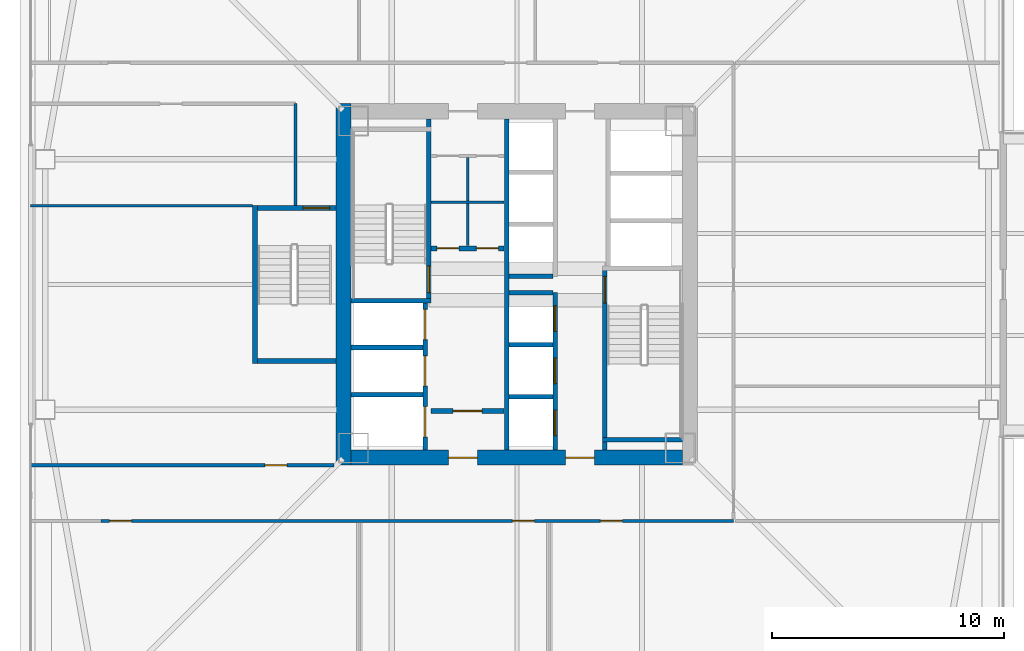
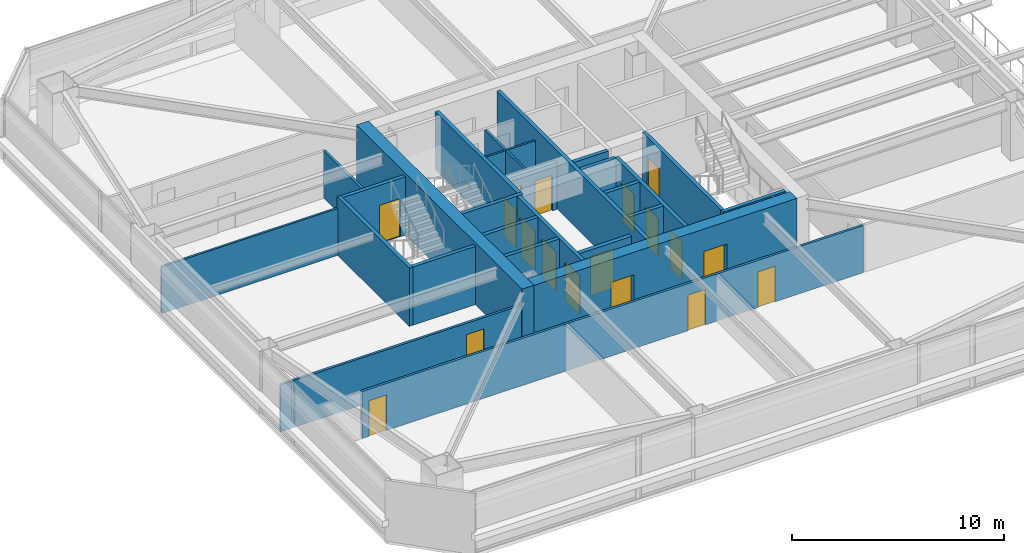
# One storey, part 34 of 44: 26 walls, 18 doors, 18 openings.
"""IFC4 building model written with IfcOpenShell, lengths in metres."""

from ifc_helpers import new_model, si_unit, direction, frame, frame_2d, origin, place, context, subcontext, project, spatial, rectangle, extrude, material, layer, layer_set, type_object, element, fill, save


model = new_model("IFC4")

# Units and contexts
model_context = context("Model", 3, precision=1e-05, world=origin(), true_north=direction((0.0, 1.0)))
body_context = subcontext(model_context, "Body", "Model", "MODEL_VIEW")
ifc_project = project(units=[si_unit("LENGTHUNIT", "METRE"), si_unit("AREAUNIT", "SQUARE_METRE"), si_unit("VOLUMEUNIT", "CUBIC_METRE"), si_unit("PLANEANGLEUNIT", "RADIAN"), si_unit("MASSUNIT", "GRAM", prefix="KILO")], contexts=[model_context])

# Site, building, storey
site_placement = place(None, origin())
site = spatial("IfcSite", under=ifc_project, at=site_placement, CompositionType="ELEMENT")
building_placement = place(site_placement, origin())
building = spatial("IfcBuilding", under=site, at=building_placement, Name="Tashvorn Skyway Center", CompositionType="ELEMENT")
storey_placement = place(building_placement, frame((0.0, 0.0, 102.699951171875)))
storey = spatial("IfcBuildingStorey", under=building, at=storey_placement, Name="L27", CompositionType="ELEMENT", Elevation=102.699951171875)

# Wall
ifc_material_1 = material(Name="Concrete C60/75", Category="concrete")
ifc_layer_1 = layer(ifc_material_1, 0.64990234375)
ifc_layer_set_1 = layer_set([ifc_layer_1], Name="Concrete C60/75")
wall_type_1 = type_object("IfcWallType", Name="WALL-CORE-650", PredefinedType="SHEAR", material=ifc_layer_set_1)
wall_1_placement = place(storey_placement, frame((34.52490234375, 24.199951171875, 0.0), z_axis=(0.0, 0.0, 1.0), x_axis=(0.0, 1.0, 0.0)))
element("IfcWall", 1, at=wall_1_placement, inside=storey, type_object=wall_type_1, Name="Tower 1 L27 West Core Shear Wall", PredefinedType="SHEAR", context=body_context, shape_type="SweptSolid", body=[
    extrude(rectangle(XDim=15.60009765625, YDim=0.64990234375, at=frame_2d((7.800048828125, 0.0))), origin(), (0.0, 0.0, 1.0), 3.550048828125),
])

# Wall, openings, doors
wall_2_placement = place(storey_placement, frame((49.14990234375, 24.52490234375, 0.0), z_axis=(0.0, 0.0, 1.0), x_axis=(-1.0, 0.0, 0.0)))
wall_2 = element("IfcWall", 2, at=wall_2_placement, inside=storey, type_object=wall_type_1, Name="Tower 1 L27 South Core Shear Wall", PredefinedType="SHEAR", context=body_context, shape_type="SweptSolid", body=[
    extrude(rectangle(XDim=14.2998046875, YDim=0.64990234375, at=frame_2d((7.14990234375, 0.0))), origin(), (0.0, 0.0, 1.0), 3.550048828125),
])
opening_1_placement = place(wall_2_placement, frame((8.85009765625, 0.0, 0.0)))
opening_1 = element("IfcOpeningElement", 3, at=opening_1_placement, cuts=wall_2, Name="Opening D-FFL-1250", PredefinedType="OPENING", context=body_context, shape_type="SweptSolid", body=[
    extrude(rectangle(XDim=1.25, YDim=2.25, at=frame_2d((0.625, 1.125))), frame((0.0, 0.3349609375, 0.0), z_axis=(0.0, -1.0, 0.0), x_axis=(1.0, 0.0, 0.0)), (0.0, 0.0, 1.0), 0.669921875),
])
opening_2_placement = place(wall_2_placement, frame((3.800048828125, 0.0, 0.0)))
opening_2 = element("IfcOpeningElement", 4, at=opening_2_placement, cuts=wall_2, Name="Opening D-FFL-1250", PredefinedType="OPENING", context=body_context, shape_type="SweptSolid", body=[
    extrude(rectangle(XDim=1.25, YDim=2.25, at=frame_2d((0.625, 1.125))), frame((0.0, 0.3349609375, 0.0), z_axis=(0.0, -1.0, 0.0), x_axis=(1.0, 0.0, 0.0)), (0.0, 0.0, 1.0), 0.669921875),
])
ifc_material_2 = material(Name="Hollow galvanized steel fire door assembly", Category="steel")
door_type_1 = type_object("IfcDoorType", Name="DOOR-FFL-1250", OperationType="NOTDEFINED", PredefinedType="DOOR", material=ifc_material_2)
door_1_placement = place(opening_1_placement, origin())
door_1 = element("IfcDoor", 5, at=door_1_placement, inside=storey, type_object=door_type_1, Name="Tower 1 L27 Core South Firefighting Exit Door", OperationType="SINGLE_SWING_LEFT", OverallHeight=2.25, OverallWidth=1.25, PredefinedType="DOOR", context=body_context, shape_type="SweptSolid", body=[
    extrude(rectangle(XDim=1.25, YDim=2.25, at=frame_2d((0.625, 1.125))), frame((0.0, 0.02490234375, 0.0), z_axis=(0.0, -1.0, 0.0), x_axis=(1.0, 0.0, 0.0)), (0.0, 0.0, 1.0), 0.050048828125),
])
fill(opening_1, door_1)
door_2_placement = place(opening_2_placement, origin())
door_2 = element("IfcDoor", 6, at=door_2_placement, inside=storey, type_object=door_type_1, Name="Tower 1 L27 Core South Lift Lobby Door", OperationType="SINGLE_SWING_RIGHT", OverallHeight=2.25, OverallWidth=1.25, PredefinedType="DOOR", context=body_context, shape_type="SweptSolid", body=[
    extrude(rectangle(XDim=1.25, YDim=2.25, at=frame_2d((0.625, 1.125))), frame((0.0, 0.02490234375, 0.0), z_axis=(0.0, -1.0, 0.0), x_axis=(1.0, 0.0, 0.0)), (0.0, 0.0, 1.0), 0.050048828125),
])
fill(opening_2, door_2)

ifc_material_3 = material(Name="Concrete C40/50", Category="concrete")
ifc_layer_2 = layer(ifc_material_3, 0.219970703125)
ifc_layer_set_2 = layer_set([ifc_layer_2], Name="Concrete C40/50")
wall_type_2 = type_object("IfcWallType", Name="WALL-FFL-220", PredefinedType="SOLIDWALL", material=ifc_layer_set_2)
wall_3_placement = place(storey_placement, frame((38.300048828125, 33.56005859375, 0.0), z_axis=(0.0, 0.0, 1.0), x_axis=(1.0, 0.0, 0.0)))
wall_3 = element("IfcWall", 7, at=wall_3_placement, inside=storey, type_object=wall_type_2, Name="Tower 1 L27 Firefighting Lobby North Wall", PredefinedType="SOLIDWALL", context=body_context, shape_type="SweptSolid", body=[
    extrude(rectangle(XDim=3.14990234375, YDim=0.219970703125, at=frame_2d((1.574951171875, 0.0))), origin(), (0.0, 0.0, 1.0), 2.703125),
])
opening_3_placement = place(wall_3_placement, frame((0.25, 0.0, 0.0)))
opening_3 = element("IfcOpeningElement", 8, at=opening_3_placement, cuts=wall_3, Name="Opening D-RT-950", PredefinedType="OPENING", context=body_context, shape_type="SweptSolid", body=[
    extrude(rectangle(XDim=0.949951171875, YDim=2.050048828125, at=frame_2d((0.47509765625, 1.02490234375))), frame((0.0, 0.119873046875, 0.0), z_axis=(0.0, -1.0, 0.0), x_axis=(1.0, 0.0, 0.0)), (0.0, 0.0, 1.0), 0.239990234375),
])
opening_4_placement = place(wall_3_placement, frame((1.949951171875, 0.0, 0.0)))
opening_4 = element("IfcOpeningElement", 9, at=opening_4_placement, cuts=wall_3, Name="Opening D-RT-950", PredefinedType="OPENING", context=body_context, shape_type="SweptSolid", body=[
    extrude(rectangle(XDim=0.949951171875, YDim=2.050048828125, at=frame_2d((0.47509765625, 1.02490234375))), frame((0.0, 0.119873046875, 0.0), z_axis=(0.0, -1.0, 0.0), x_axis=(1.0, 0.0, 0.0)), (0.0, 0.0, 1.0), 0.239990234375),
])
door_type_2 = type_object("IfcDoorType", Name="DOOR-RATED-950", OperationType="NOTDEFINED", PredefinedType="DOOR", material=ifc_material_2)
door_3_placement = place(opening_3_placement, origin())
door_3 = element("IfcDoor", 10, at=door_3_placement, inside=storey, type_object=door_type_2, Name="Tower 1 L27 Core Mail Room Door", OperationType="SINGLE_SWING_LEFT", OverallHeight=2.050048828125, OverallWidth=0.949951171875, PredefinedType="DOOR", context=body_context, shape_type="SweptSolid", body=[
    extrude(rectangle(XDim=0.949951171875, YDim=2.050048828125, at=frame_2d((0.47509765625, 1.02490234375))), frame((0.0, 0.02490234375, 0.0), z_axis=(0.0, -1.0, 0.0), x_axis=(1.0, 0.0, 0.0)), (0.0, 0.0, 1.0), 0.050048828125),
])
fill(opening_3, door_3)
door_4_placement = place(opening_4_placement, origin())
door_4 = element("IfcDoor", 11, at=door_4_placement, inside=storey, type_object=door_type_2, Name="Tower 1 L27 Core Supply Closet Door", OperationType="SINGLE_SWING_RIGHT", OverallHeight=2.050048828125, OverallWidth=0.949951171875, PredefinedType="DOOR", context=body_context, shape_type="SweptSolid", body=[
    extrude(rectangle(XDim=0.949951171875, YDim=2.050048828125, at=frame_2d((0.47509765625, 1.02490234375))), frame((0.0, 0.02490234375, 0.0), z_axis=(0.0, -1.0, 0.0), x_axis=(1.0, 0.0, 0.0)), (0.0, 0.0, 1.0), 0.050048828125),
])
fill(opening_4, door_4)

# Wall, opening, door
wall_4_placement = place(storey_placement, frame((38.300048828125, 26.5400390625, 0.0), z_axis=(0.0, 0.0, 1.0), x_axis=(1.0, 0.0, 0.0)))
wall_4 = element("IfcWall", 12, at=wall_4_placement, inside=storey, type_object=wall_type_2, Name="Tower 1 L27 Firefighting Lobby South Wall", PredefinedType="SOLIDWALL", context=body_context, shape_type="SweptSolid", body=[
    extrude(rectangle(XDim=3.14990234375, YDim=0.219970703125, at=frame_2d((1.574951171875, 0.0))), origin(), (0.0, 0.0, 1.0), 2.703125),
])
opening_5_placement = place(wall_4_placement, frame((0.949951171875, 0.0, 0.0)))
opening_5 = element("IfcOpeningElement", 13, at=opening_5_placement, cuts=wall_4, Name="Opening D-FFL-1250", PredefinedType="OPENING", context=body_context, shape_type="SweptSolid", body=[
    extrude(rectangle(XDim=1.25, YDim=2.25, at=frame_2d((0.625, 1.125))), frame((0.0, 0.119873046875, 0.0), z_axis=(0.0, -1.0, 0.0), x_axis=(1.0, 0.0, 0.0)), (0.0, 0.0, 1.0), 0.239990234375),
])
door_5_placement = place(opening_5_placement, origin())
door_5 = element("IfcDoor", 14, at=door_5_placement, inside=storey, type_object=door_type_1, Name="Tower 1 L27 Firefighting Lobby Egress Door", OperationType="SINGLE_SWING_LEFT", OverallHeight=2.25, OverallWidth=1.25, PredefinedType="DOOR", context=body_context, shape_type="SweptSolid", body=[
    extrude(rectangle(XDim=1.25, YDim=2.25, at=frame_2d((0.625, 1.125))), frame((0.0, 0.02490234375, 0.0), z_axis=(0.0, -1.0, 0.0), x_axis=(1.0, 0.0, 0.0)), (0.0, 0.0, 1.0), 0.050048828125),
])
fill(opening_5, door_5)

# Walls
ifc_material_4 = material(Name="Gypsum board on cold-formed steel stud framing", Category="steel")
ifc_layer_3 = layer(ifc_material_4, 0.110107421875)
ifc_layer_set_3 = layer_set([ifc_layer_3], Name="Gypsum board on cold-formed steel stud framing")
wall_type_3 = type_object("IfcWallType", Name="WALL-PART-110", PredefinedType="PARTITIONING", material=ifc_layer_set_3)
wall_5_placement = place(storey_placement, frame((30.60009765625, 35.39990234375, 0.0), z_axis=(0.0, 0.0, 1.0), x_axis=(-1.0, 0.0, 0.0)))
element("IfcWall", 15, at=wall_5_placement, inside=storey, type_object=wall_type_3, Name="Tower 1 L27 West Suite Partition 1", PredefinedType="PARTITIONING", context=body_context, shape_type="SweptSolid", body=[
    extrude(rectangle(XDim=9.580078125, YDim=0.110107421875, at=frame_2d((4.7900390625, 0.0))), origin(), (0.0, 0.0, 1.0), 2.703125),
])
ifc_layer_4 = layer(ifc_material_4, 0.135009765625)
ifc_layer_set_4 = layer_set([ifc_layer_4], Name="Gypsum board on cold-formed steel stud framing")
wall_type_4 = type_object("IfcWallType", Name="WALL-PART-135", PredefinedType="PARTITIONING", material=ifc_layer_set_4)
wall_6_placement = place(storey_placement, frame((32.449951171875, 35.39990234375, 0.0), z_axis=(0.0, 0.0, 1.0), x_axis=(0.0, 1.0, 0.0)))
element("IfcWall", 16, at=wall_6_placement, inside=storey, type_object=wall_type_4, Name="Tower 1 L27 Stair 3 Access Corridor Wall", PredefinedType="PARTITIONING", context=body_context, shape_type="SweptSolid", body=[
    extrude(rectangle(XDim=4.400146484375, YDim=0.135009765625, at=frame_2d((2.2001953125, 0.0))), origin(), (0.0, 0.0, 1.0), 2.703125),
])

# Wall, openings, doors
wall_7_placement = place(storey_placement, frame((51.35009765625, 21.800048828125, 0.0), z_axis=(0.0, 0.0, 1.0), x_axis=(-1.0, 0.0, 0.0)))
wall_7 = element("IfcWall", 17, at=wall_7_placement, inside=storey, type_object=wall_type_4, Name="Tower 1 L27 South Suite Wall", PredefinedType="PARTITIONING", context=body_context, shape_type="SweptSolid", body=[
    extrude(rectangle(XDim=27.300048828125, YDim=0.135009765625, at=frame_2d((13.64990234375, 0.0))), origin(), (0.0, 0.0, 1.0), 2.703125),
])
opening_6_placement = place(wall_7_placement, frame((25.969970703125, 0.0, 0.0)))
opening_6 = element("IfcOpeningElement", 18, at=opening_6_placement, cuts=wall_7, Name="Opening D-INT-950", PredefinedType="OPENING", context=body_context, shape_type="SweptSolid", body=[
    extrude(rectangle(XDim=0.949951171875, YDim=2.050048828125, at=frame_2d((0.47509765625, 1.02490234375))), frame((0.0, 0.077392578125, 0.0), z_axis=(0.0, -1.0, 0.0), x_axis=(1.0, 0.0, 0.0)), (0.0, 0.0, 1.0), 0.155029296875),
])
opening_7_placement = place(wall_7_placement, frame((8.589599609375, 0.0, 0.0)))
opening_7 = element("IfcOpeningElement", 19, at=opening_7_placement, cuts=wall_7, Name="Opening D-INT-950", PredefinedType="OPENING", context=body_context, shape_type="SweptSolid", body=[
    extrude(rectangle(XDim=0.949951171875, YDim=2.050048828125, at=frame_2d((0.47509765625, 1.02490234375))), frame((0.0, 0.077392578125, 0.0), z_axis=(0.0, -1.0, 0.0), x_axis=(1.0, 0.0, 0.0)), (0.0, 0.0, 1.0), 0.155029296875),
])
opening_8_placement = place(wall_7_placement, frame((4.800048828125, 0.0, 0.0)))
opening_8 = element("IfcOpeningElement", 20, at=opening_8_placement, cuts=wall_7, Name="Opening D-INT-950", PredefinedType="OPENING", context=body_context, shape_type="SweptSolid", body=[
    extrude(rectangle(XDim=0.949951171875, YDim=2.050048828125, at=frame_2d((0.47509765625, 1.02490234375))), frame((0.0, 0.077392578125, 0.0), z_axis=(0.0, -1.0, 0.0), x_axis=(1.0, 0.0, 0.0)), (0.0, 0.0, 1.0), 0.155029296875),
])
ifc_material_5 = material(Name="Solid-core architectural oak veneer door")
door_type_3 = type_object("IfcDoorType", Name="DOOR-INT-950", OperationType="NOTDEFINED", PredefinedType="DOOR", material=ifc_material_5)
door_6_placement = place(opening_6_placement, origin())
door_6 = element("IfcDoor", 21, at=door_6_placement, inside=storey, type_object=door_type_3, Name="Tower 1 L27 Gallery Showroom Door", OperationType="SINGLE_SWING_LEFT", OverallHeight=2.050048828125, OverallWidth=0.949951171875, PredefinedType="DOOR", context=body_context, shape_type="SweptSolid", body=[
    extrude(rectangle(XDim=0.949951171875, YDim=2.050048828125, at=frame_2d((0.47509765625, 1.02490234375))), frame((0.0, 0.02490234375, 0.0), z_axis=(0.0, -1.0, 0.0), x_axis=(1.0, 0.0, 0.0)), (0.0, 0.0, 1.0), 0.050048828125),
])
fill(opening_6, door_6)
door_7_placement = place(opening_7_placement, origin())
door_7 = element("IfcDoor", 22, at=door_7_placement, inside=storey, type_object=door_type_3, Name="Tower 1 L27 Corporate Office Door", OperationType="SINGLE_SWING_RIGHT", OverallHeight=2.050048828125, OverallWidth=0.949951171875, PredefinedType="DOOR", context=body_context, shape_type="SweptSolid", body=[
    extrude(rectangle(XDim=0.949951171875, YDim=2.050048828125, at=frame_2d((0.47509765625, 1.02490234375))), frame((0.0, 0.02490234375, 0.0), z_axis=(0.0, -1.0, 0.0), x_axis=(1.0, 0.0, 0.0)), (0.0, 0.0, 1.0), 0.050048828125),
])
fill(opening_7, door_7)
door_8_placement = place(opening_8_placement, origin())
door_8 = element("IfcDoor", 23, at=door_8_placement, inside=storey, type_object=door_type_3, Name="Tower 1 L27 Corporate Office Door", OperationType="SINGLE_SWING_LEFT", OverallHeight=2.050048828125, OverallWidth=0.949951171875, PredefinedType="DOOR", context=body_context, shape_type="SweptSolid", body=[
    extrude(rectangle(XDim=0.949951171875, YDim=2.050048828125, at=frame_2d((0.47509765625, 1.02490234375))), frame((0.0, 0.02490234375, 0.0), z_axis=(0.0, -1.0, 0.0), x_axis=(1.0, 0.0, 0.0)), (0.0, 0.0, 1.0), 0.050048828125),
])
fill(opening_8, door_8)

# Wall, opening, door
wall_8_placement = place(storey_placement, frame((21.02001953125, 24.199951171875, 0.0), z_axis=(0.0, 0.0, 1.0), x_axis=(1.0, 0.0, 0.0)))
wall_8 = element("IfcWall", 24, at=wall_8_placement, inside=storey, type_object=wall_type_4, Name="Tower 1 L27 West Suite South Wall", PredefinedType="PARTITIONING", context=body_context, shape_type="SweptSolid", body=[
    extrude(rectangle(XDim=13.10009765625, YDim=0.135009765625, at=frame_2d((6.550048828125, 0.0))), origin(), (0.0, 0.0, 1.0), 2.703125),
])
opening_9_placement = place(wall_8_placement, frame((10.10498046875, 0.0, 0.0)))
opening_9 = element("IfcOpeningElement", 25, at=opening_9_placement, cuts=wall_8, Name="Opening D-INT-950", PredefinedType="OPENING", context=body_context, shape_type="SweptSolid", body=[
    extrude(rectangle(XDim=0.949951171875, YDim=2.050048828125, at=frame_2d((0.47509765625, 1.02490234375))), frame((0.0, 0.077392578125, 0.0), z_axis=(0.0, -1.0, 0.0), x_axis=(1.0, 0.0, 0.0)), (0.0, 0.0, 1.0), 0.155029296875),
])
door_9_placement = place(opening_9_placement, origin())
door_9 = element("IfcDoor", 26, at=door_9_placement, inside=storey, type_object=door_type_3, Name="Tower 1 L27 Public Restroom Door", OperationType="SINGLE_SWING_LEFT", OverallHeight=2.050048828125, OverallWidth=0.949951171875, PredefinedType="DOOR", context=body_context, shape_type="SweptSolid", body=[
    extrude(rectangle(XDim=0.949951171875, YDim=2.050048828125, at=frame_2d((0.47509765625, 1.02490234375))), frame((0.0, 0.02490234375, 0.0), z_axis=(0.0, -1.0, 0.0), x_axis=(1.0, 0.0, 0.0)), (0.0, 0.0, 1.0), 0.050048828125),
])
fill(opening_9, door_9)

# Walls
ifc_layer_5 = layer(ifc_material_4, 0.110107421875)
ifc_layer_set_5 = layer_set([ifc_layer_5], Name="Gypsum board on cold-formed steel stud framing")
wall_type_5 = type_object("IfcWallType", Name="WALL-RATED-110", PredefinedType="PARTITIONING", material=ifc_layer_set_5)
wall_9_placement = place(storey_placement, frame((39.8798828125, 33.679931640625, 0.0), z_axis=(0.0, 0.0, 1.0), x_axis=(0.0, 1.0, 0.0)))
element("IfcWall", 27, at=wall_9_placement, inside=storey, type_object=wall_type_5, Name="Tower 1 L27 Core Cross Vertical", PredefinedType="PARTITIONING", context=body_context, shape_type="SweptSolid", body=[
    extrude(rectangle(XDim=3.800048828125, YDim=0.110107421875, at=frame_2d((1.89990234375, 0.0))), origin(), (0.0, 0.0, 1.0), 2.703125),
])
wall_10_placement = place(storey_placement, frame((38.300048828125, 35.550048828125, 0.0), z_axis=(0.0, 0.0, 1.0), x_axis=(1.0, 0.0, 0.0)))
element("IfcWall", 28, at=wall_10_placement, inside=storey, type_object=wall_type_5, Name="Tower 1 L27 Core Cross Horizontal", PredefinedType="PARTITIONING", context=body_context, shape_type="SweptSolid", body=[
    extrude(rectangle(XDim=3.14990234375, YDim=0.110107421875, at=frame_2d((1.574951171875, 0.0))), origin(), (0.0, 0.0, 1.0), 2.703125),
])
ifc_layer_6 = layer(ifc_material_3, 0.199951171875)
ifc_layer_set_6 = layer_set([ifc_layer_6], Name="Concrete C40/50")
wall_type_6 = type_object("IfcWallType", Name="WALL-SHAFT-200", PredefinedType="SOLIDWALL", material=ifc_layer_set_6)
for number, where, z_axis, x_axis, name in (
    (29, (34.85009765625, 27.25, 0.0), (0.0, 0.0, 1.0), (1.0, 0.0, 0.0), "Tower 1 L27 FSAE Shaft Divider"),
    (30, (34.85009765625, 29.280029296875, 0.0), (0.0, 0.0, 1.0), (1.0, 0.0, 0.0), "Tower 1 L27 FSAE Shaft Divider"),
):
    element("IfcWall", number, at=place(storey_placement, frame(where, z_axis=z_axis, x_axis=x_axis)), inside=storey, type_object=wall_type_6, Name=name, PredefinedType="SOLIDWALL", context=body_context, shape_type="SweptSolid", body=[
        extrude(rectangle(XDim=3.099853515625, YDim=0.199951171875, at=frame_2d((1.5498046875, 0.0))), origin(), (0.0, 0.0, 1.0), 3.35009765625),
    ])

# Wall, openings, doors
wall_11_placement = place(storey_placement, frame((43.64990234375, 24.85009765625, 0.0), z_axis=(0.0, 0.0, 1.0), x_axis=(0.0, 1.0, 0.0)))
wall_11 = element("IfcWall", 31, at=wall_11_placement, inside=storey, type_object=wall_type_6, Name="Tower 1 L27 Low-Rise Core Wall", PredefinedType="SOLIDWALL", context=body_context, shape_type="SweptSolid", body=[
    extrude(rectangle(XDim=6.7998046875, YDim=0.199951171875, at=frame_2d((3.39990234375, 0.0))), origin(), (0.0, 0.0, 1.0), 3.35009765625),
])
opening_10_placement = place(wall_11_placement, frame((0.625, 0.0, 0.0)))
opening_10 = element("IfcOpeningElement", 32, at=opening_10_placement, cuts=wall_11, Name="Opening LD-LR-T1-1-L27", PredefinedType="OPENING", context=body_context, shape_type="SweptSolid", body=[
    extrude(rectangle(XDim=1.10009765625, YDim=2.199951171875, at=frame_2d((0.550048828125, 1.10009765625))), frame((0.0, 0.10986328125, 0.0), z_axis=(0.0, -1.0, 0.0), x_axis=(1.0, 0.0, 0.0)), (0.0, 0.0, 1.0), 0.219970703125),
])
opening_11_placement = place(wall_11_placement, frame((2.875, 0.0, 0.0)))
opening_11 = element("IfcOpeningElement", 33, at=opening_11_placement, cuts=wall_11, Name="Opening LD-LR-T1-2-L27", PredefinedType="OPENING", context=body_context, shape_type="SweptSolid", body=[
    extrude(rectangle(XDim=1.10009765625, YDim=2.199951171875, at=frame_2d((0.550048828125, 1.10009765625))), frame((0.0, 0.10986328125, 0.0), z_axis=(0.0, -1.0, 0.0), x_axis=(1.0, 0.0, 0.0)), (0.0, 0.0, 1.0), 0.219970703125),
])
opening_12_placement = place(wall_11_placement, frame((5.125, 0.0, 0.0)))
opening_12 = element("IfcOpeningElement", 34, at=opening_12_placement, cuts=wall_11, Name="Opening LD-LR-T1-3-L27", PredefinedType="OPENING", context=body_context, shape_type="SweptSolid", body=[
    extrude(rectangle(XDim=1.10009765625, YDim=2.199951171875, at=frame_2d((0.550048828125, 1.10009765625))), frame((0.0, 0.10986328125, 0.0), z_axis=(0.0, -1.0, 0.0), x_axis=(1.0, 0.0, 0.0)), (0.0, 0.0, 1.0), 0.219970703125),
])
ifc_material_6 = material(Name="Stainless steel landing door", Category="steel")
door_type_4 = type_object("IfcDoorType", Name="DOOR-LIFT-1100", OperationType="SLIDING_TO_LEFT", PredefinedType="DOOR", material=ifc_material_6)
door_10_placement = place(opening_10_placement, origin())
door_10 = element("IfcDoor", 35, at=door_10_placement, inside=storey, type_object=door_type_4, Name="Lift LR-T1-1 L27 Landing Door", OperationType="SLIDING_TO_LEFT", OverallHeight=2.199951171875, OverallWidth=1.10009765625, PredefinedType="DOOR", context=body_context, shape_type="SweptSolid", body=[
    extrude(rectangle(XDim=1.10009765625, YDim=2.199951171875, at=frame_2d((0.550048828125, 1.10009765625))), frame((0.0, 0.02490234375, 0.0), z_axis=(0.0, -1.0, 0.0), x_axis=(1.0, 0.0, 0.0)), (0.0, 0.0, 1.0), 0.050048828125),
])
fill(opening_10, door_10)
door_11_placement = place(opening_11_placement, origin())
door_11 = element("IfcDoor", 36, at=door_11_placement, inside=storey, type_object=door_type_4, Name="Lift LR-T1-2 L27 Landing Door", OperationType="SLIDING_TO_LEFT", OverallHeight=2.199951171875, OverallWidth=1.10009765625, PredefinedType="DOOR", context=body_context, shape_type="SweptSolid", body=[
    extrude(rectangle(XDim=1.10009765625, YDim=2.199951171875, at=frame_2d((0.550048828125, 1.10009765625))), frame((0.0, 0.02490234375, 0.0), z_axis=(0.0, -1.0, 0.0), x_axis=(1.0, 0.0, 0.0)), (0.0, 0.0, 1.0), 0.050048828125),
])
fill(opening_11, door_11)
door_12_placement = place(opening_12_placement, origin())
door_12 = element("IfcDoor", 37, at=door_12_placement, inside=storey, type_object=door_type_4, Name="Lift LR-T1-3 L27 Landing Door", OperationType="SLIDING_TO_LEFT", OverallHeight=2.199951171875, OverallWidth=1.10009765625, PredefinedType="DOOR", context=body_context, shape_type="SweptSolid", body=[
    extrude(rectangle(XDim=1.10009765625, YDim=2.199951171875, at=frame_2d((0.550048828125, 1.10009765625))), frame((0.0, 0.02490234375, 0.0), z_axis=(0.0, -1.0, 0.0), x_axis=(1.0, 0.0, 0.0)), (0.0, 0.0, 1.0), 0.050048828125),
])
fill(opening_12, door_12)

# Walls
for number, where, z_axis, x_axis, name in (
    (38, (41.669921875, 27.14990234375, 0.0), (0.0, 0.0, 1.0), (1.0, 0.0, 0.0), "Tower 1 L27 Low-Rise Shaft Divider"),
    (39, (41.669921875, 29.39990234375, 0.0), (0.0, 0.0, 1.0), (1.0, 0.0, 0.0), "Tower 1 L27 Low-Rise Shaft Divider"),
    (40, (41.669921875, 31.64990234375, 0.0), (0.0, 0.0, 1.0), (1.0, 0.0, 0.0), "Tower 1 L27 Low-Rise Shaft Divider"),
    (41, (41.669921875, 32.35009765625, 0.0), (0.0, 0.0, 1.0), (1.0, 0.0, 0.0), "Tower 1 L27 Mid-Rise Shaft Divider"),
):
    element("IfcWall", number, at=place(storey_placement, frame(where, z_axis=z_axis, x_axis=x_axis)), inside=storey, type_object=wall_type_6, Name=name, PredefinedType="SOLIDWALL", context=body_context, shape_type="SweptSolid", body=[
        extrude(rectangle(XDim=1.880126953125, YDim=0.199951171875, at=frame_2d((0.93994140625, 0.0))), origin(), (0.0, 0.0, 1.0), 3.35009765625),
    ])

# Wall, opening, door
ifc_layer_7 = layer(ifc_material_3, 0.199951171875)
ifc_layer_set_7 = layer_set([ifc_layer_7], Name="Concrete C40/50")
wall_type_7 = type_object("IfcWallType", Name="WALL-STSHF-200", PredefinedType="SHEAR", material=ifc_layer_set_7)
wall_12_placement = place(storey_placement, frame((38.199951171875, 31.199951171875, 0.0), z_axis=(0.0, 0.0, 1.0), x_axis=(0.0, 1.0, 0.0)))
wall_12 = element("IfcWall", 42, at=wall_12_placement, inside=storey, type_object=wall_type_7, Name="Tower 1 L27 Stair 1 Enclosure Wall", PredefinedType="SHEAR", context=body_context, shape_type="SweptSolid", body=[
    extrude(rectangle(XDim=7.949951171875, YDim=0.199951171875, at=frame_2d((3.97509765625, 0.0))), origin(), (0.0, 0.0, 1.0), 3.35009765625),
])
opening_13_placement = place(wall_12_placement, frame((0.449951171875, 0.0, 0.0)))
opening_13 = element("IfcOpeningElement", 43, at=opening_13_placement, cuts=wall_12, Name="Opening D-ST-1150", PredefinedType="OPENING", context=body_context, shape_type="SweptSolid", body=[
    extrude(rectangle(XDim=1.14990234375, YDim=2.199951171875, at=frame_2d((0.574951171875, 1.10009765625))), frame((0.0, 0.10986328125, 0.0), z_axis=(0.0, -1.0, 0.0), x_axis=(1.0, 0.0, 0.0)), (0.0, 0.0, 1.0), 0.219970703125),
])
door_type_5 = type_object("IfcDoorType", Name="DOOR-STAIR-1150", OperationType="NOTDEFINED", PredefinedType="DOOR", material=ifc_material_2)
door_13_placement = place(opening_13_placement, origin())
door_13 = element("IfcDoor", 44, at=door_13_placement, inside=storey, type_object=door_type_5, Name="Tower 1 L27 Exit Stair 1 Door", OperationType="SINGLE_SWING_RIGHT", OverallHeight=2.199951171875, OverallWidth=1.14990234375, PredefinedType="DOOR", context=body_context, shape_type="SweptSolid", body=[
    extrude(rectangle(XDim=1.14990234375, YDim=2.199951171875, at=frame_2d((0.574951171875, 1.10009765625))), frame((0.0, 0.02490234375, 0.0), z_axis=(0.0, -1.0, 0.0), x_axis=(1.0, 0.0, 0.0)), (0.0, 0.0, 1.0), 0.050048828125),
])
fill(opening_13, door_13)

# Wall
wall_13_placement = place(storey_placement, frame((34.85009765625, 31.300048828125, 0.0), z_axis=(0.0, 0.0, 1.0), x_axis=(1.0, 0.0, 0.0)))
element("IfcWall", 45, at=wall_13_placement, inside=storey, type_object=wall_type_7, Name="Tower 1 L27 Stair 1 South Wall", PredefinedType="SHEAR", context=body_context, shape_type="SweptSolid", body=[
    extrude(rectangle(XDim=3.449951171875, YDim=0.199951171875, at=frame_2d((1.72509765625, 0.0))), origin(), (0.0, 0.0, 1.0), 3.35009765625),
])

# Wall, opening, door
wall_14_placement = place(storey_placement, frame((45.800048828125, 32.800048828125, 0.0), z_axis=(0.0, 0.0, 1.0), x_axis=(0.0, -1.0, 0.0)))
wall_14 = element("IfcWall", 46, at=wall_14_placement, inside=storey, type_object=wall_type_7, Name="Tower 1 L27 Stair 2 Enclosure Wall", PredefinedType="SHEAR", context=body_context, shape_type="SweptSolid", body=[
    extrude(rectangle(XDim=7.949951171875, YDim=0.199951171875, at=frame_2d((3.97509765625, 0.0))), origin(), (0.0, 0.0, 1.0), 3.35009765625),
])
opening_14_placement = place(wall_14_placement, frame((0.449951171875, 0.0, 0.0)))
opening_14 = element("IfcOpeningElement", 47, at=opening_14_placement, cuts=wall_14, Name="Opening D-ST-1150", PredefinedType="OPENING", context=body_context, shape_type="SweptSolid", body=[
    extrude(rectangle(XDim=1.14990234375, YDim=2.199951171875, at=frame_2d((0.574951171875, 1.10009765625))), frame((0.0, 0.10986328125, 0.0), z_axis=(0.0, -1.0, 0.0), x_axis=(1.0, 0.0, 0.0)), (0.0, 0.0, 1.0), 0.219970703125),
])
door_14_placement = place(opening_14_placement, origin())
door_14 = element("IfcDoor", 48, at=door_14_placement, inside=storey, type_object=door_type_5, Name="Tower 1 L27 Exit Stair 2 Door", OperationType="SINGLE_SWING_RIGHT", OverallHeight=2.199951171875, OverallWidth=1.14990234375, PredefinedType="DOOR", context=body_context, shape_type="SweptSolid", body=[
    extrude(rectangle(XDim=1.14990234375, YDim=2.199951171875, at=frame_2d((0.574951171875, 1.10009765625))), frame((0.0, 0.02490234375, 0.0), z_axis=(0.0, -1.0, 0.0), x_axis=(1.0, 0.0, 0.0)), (0.0, 0.0, 1.0), 0.050048828125),
])
fill(opening_14, door_14)

# Walls
wall_15_placement = place(storey_placement, frame((45.699951171875, 25.300048828125, 0.0), z_axis=(0.0, 0.0, 1.0), x_axis=(1.0, 0.0, 0.0)))
element("IfcWall", 49, at=wall_15_placement, inside=storey, type_object=wall_type_7, Name="Tower 1 L27 Stair 2 South Wall", PredefinedType="SHEAR", context=body_context, shape_type="SweptSolid", body=[
    extrude(rectangle(XDim=3.449951171875, YDim=0.199951171875, at=frame_2d((1.72509765625, 0.0))), origin(), (0.0, 0.0, 1.0), 3.35009765625),
])
wall_16_placement = place(storey_placement, frame((41.56005859375, 24.85009765625, 0.0), z_axis=(0.0, 0.0, 1.0), x_axis=(0.0, 1.0, 0.0)))
element("IfcWall", 50, at=wall_16_placement, inside=storey, type_object=wall_type_7, Name="Tower 1 L27 Firefighting Lobby East Smoke Barrier", PredefinedType="SHEAR", context=body_context, shape_type="SweptSolid", body=[
    extrude(rectangle(XDim=14.2998046875, YDim=0.199951171875, at=frame_2d((7.14990234375, 0.0))), origin(), (0.0, 0.0, 1.0), 3.35009765625),
])

# Wall, openings, doors
wall_17_placement = place(storey_placement, frame((38.050048828125, 24.85009765625, 0.0), z_axis=(0.0, 0.0, 1.0), x_axis=(0.0, 1.0, 0.0)))
wall_17 = element("IfcWall", 51, at=wall_17_placement, inside=storey, type_object=wall_type_7, Name="Tower 1 L27 FSAE and Goods Shaft Front Wall", PredefinedType="SHEAR", context=body_context, shape_type="SweptSolid", body=[
    extrude(rectangle(XDim=6.349853515625, YDim=0.199951171875, at=frame_2d((3.1748046875, 0.0))), origin(), (0.0, 0.0, 1.0), 3.35009765625),
])
opening_15_placement = place(wall_17_placement, frame((4.77490234375, 0.0, 0.0)))
opening_15 = element("IfcOpeningElement", 52, at=opening_15_placement, cuts=wall_17, Name="Opening LD-FF-T1-1-L27", PredefinedType="OPENING", context=body_context, shape_type="SweptSolid", body=[
    extrude(rectangle(XDim=1.300048828125, YDim=2.25, at=frame_2d((0.64990234375, 1.125))), frame((0.0, 0.10986328125, 0.0), z_axis=(0.0, -1.0, 0.0), x_axis=(1.0, 0.0, 0.0)), (0.0, 0.0, 1.0), 0.219970703125),
])
opening_16_placement = place(wall_17_placement, frame((2.77490234375, 0.0, 0.0)))
opening_16 = element("IfcOpeningElement", 53, at=opening_16_placement, cuts=wall_17, Name="Opening LD-FF-T1-2-L27", PredefinedType="OPENING", context=body_context, shape_type="SweptSolid", body=[
    extrude(rectangle(XDim=1.300048828125, YDim=2.25, at=frame_2d((0.64990234375, 1.125))), frame((0.0, 0.10986328125, 0.0), z_axis=(0.0, -1.0, 0.0), x_axis=(1.0, 0.0, 0.0)), (0.0, 0.0, 1.0), 0.219970703125),
])
opening_17_placement = place(wall_17_placement, frame((0.574951171875, 0.0, 0.0)))
opening_17 = element("IfcOpeningElement", 54, at=opening_17_placement, cuts=wall_17, Name="Opening LD-GD-T1-1-L27", PredefinedType="OPENING", context=body_context, shape_type="SweptSolid", body=[
    extrude(rectangle(XDim=1.300048828125, YDim=2.25, at=frame_2d((0.64990234375, 1.125))), frame((0.0, 0.10986328125, 0.0), z_axis=(0.0, -1.0, 0.0), x_axis=(1.0, 0.0, 0.0)), (0.0, 0.0, 1.0), 0.219970703125),
])
ifc_material_7 = material(Name="Stainless steel heavy-duty landing door", Category="steel")
door_type_6 = type_object("IfcDoorType", Name="DOOR-LIFT-1300", OperationType="SLIDING_TO_LEFT", PredefinedType="DOOR", material=ifc_material_7)
door_15_placement = place(opening_15_placement, origin())
door_15 = element("IfcDoor", 55, at=door_15_placement, inside=storey, type_object=door_type_6, Name="Lift FF-T1-1 L27 Landing Door", OperationType="SLIDING_TO_LEFT", OverallHeight=2.25, OverallWidth=1.300048828125, PredefinedType="DOOR", context=body_context, shape_type="SweptSolid", body=[
    extrude(rectangle(XDim=1.300048828125, YDim=2.25, at=frame_2d((0.64990234375, 1.125))), frame((0.0, 0.02490234375, 0.0), z_axis=(0.0, -1.0, 0.0), x_axis=(1.0, 0.0, 0.0)), (0.0, 0.0, 1.0), 0.050048828125),
])
fill(opening_15, door_15)
door_16_placement = place(opening_16_placement, origin())
door_16 = element("IfcDoor", 56, at=door_16_placement, inside=storey, type_object=door_type_6, Name="Lift FF-T1-2 L27 Landing Door", OperationType="SLIDING_TO_LEFT", OverallHeight=2.25, OverallWidth=1.300048828125, PredefinedType="DOOR", context=body_context, shape_type="SweptSolid", body=[
    extrude(rectangle(XDim=1.300048828125, YDim=2.25, at=frame_2d((0.64990234375, 1.125))), frame((0.0, 0.02490234375, 0.0), z_axis=(0.0, -1.0, 0.0), x_axis=(1.0, 0.0, 0.0)), (0.0, 0.0, 1.0), 0.050048828125),
])
fill(opening_16, door_16)
door_17_placement = place(opening_17_placement, origin())
door_17 = element("IfcDoor", 57, at=door_17_placement, inside=storey, type_object=door_type_6, Name="Lift GD-T1-1 L27 Landing Door", OperationType="SLIDING_TO_LEFT", OverallHeight=2.25, OverallWidth=1.300048828125, PredefinedType="DOOR", context=body_context, shape_type="SweptSolid", body=[
    extrude(rectangle(XDim=1.300048828125, YDim=2.25, at=frame_2d((0.64990234375, 1.125))), frame((0.0, 0.02490234375, 0.0), z_axis=(0.0, -1.0, 0.0), x_axis=(1.0, 0.0, 0.0)), (0.0, 0.0, 1.0), 0.050048828125),
])
fill(opening_17, door_17)

# Wall
wall_18_placement = place(storey_placement, frame((30.699951171875, 28.60009765625, 0.0), z_axis=(0.0, 0.0, 1.0), x_axis=(0.0, 1.0, 0.0)))
element("IfcWall", 58, at=wall_18_placement, inside=storey, type_object=wall_type_7, Name="Tower 1 L27 Stair 3 Outer Wall", PredefinedType="SHEAR", context=body_context, shape_type="SweptSolid", body=[
    extrude(rectangle(XDim=6.7998046875, YDim=0.199951171875, at=frame_2d((3.39990234375, 0.0))), origin(), (0.0, 0.0, 1.0), 3.35009765625),
])

# Wall, opening, door
wall_19_placement = place(storey_placement, frame((34.199951171875, 35.300048828125, 0.0), z_axis=(0.0, 0.0, 1.0), x_axis=(-1.0, 0.0, 0.0)))
wall_19 = element("IfcWall", 59, at=wall_19_placement, inside=storey, type_object=wall_type_7, Name="Tower 1 L27 Stair 3 Enclosure Wall", PredefinedType="SHEAR", context=body_context, shape_type="SweptSolid", body=[
    extrude(rectangle(XDim=3.39990234375, YDim=0.199951171875, at=frame_2d((1.699951171875, 0.0))), origin(), (0.0, 0.0, 1.0), 3.35009765625),
])
opening_18_placement = place(wall_19_placement, frame((0.27490234375, 0.0, 0.0)))
opening_18 = element("IfcOpeningElement", 60, at=opening_18_placement, cuts=wall_19, Name="Opening D-ST-1150", PredefinedType="OPENING", context=body_context, shape_type="SweptSolid", body=[
    extrude(rectangle(XDim=1.14990234375, YDim=2.199951171875, at=frame_2d((0.574951171875, 1.10009765625))), frame((0.0, 0.10986328125, 0.0), z_axis=(0.0, -1.0, 0.0), x_axis=(1.0, 0.0, 0.0)), (0.0, 0.0, 1.0), 0.219970703125),
])
door_18_placement = place(opening_18_placement, origin())
door_18 = element("IfcDoor", 61, at=door_18_placement, inside=storey, type_object=door_type_5, Name="Tower 1 L27 Exit Stair 3 Door", OperationType="SINGLE_SWING_RIGHT", OverallHeight=2.199951171875, OverallWidth=1.14990234375, PredefinedType="DOOR", context=body_context, shape_type="SweptSolid", body=[
    extrude(rectangle(XDim=1.14990234375, YDim=2.199951171875, at=frame_2d((0.574951171875, 1.10009765625))), frame((0.0, 0.02490234375, 0.0), z_axis=(0.0, -1.0, 0.0), x_axis=(1.0, 0.0, 0.0)), (0.0, 0.0, 1.0), 0.050048828125),
])
fill(opening_18, door_18)

# Wall
wall_20_placement = place(storey_placement, frame((30.800048828125, 28.699951171875, 0.0), z_axis=(0.0, 0.0, 1.0), x_axis=(1.0, 0.0, 0.0)))
element("IfcWall", 62, at=wall_20_placement, inside=storey, type_object=wall_type_7, Name="Tower 1 L27 Stair 3 South Wall", PredefinedType="SHEAR", context=body_context, shape_type="SweptSolid", body=[
    extrude(rectangle(XDim=3.39990234375, YDim=0.199951171875, at=frame_2d((1.699951171875, 0.0))), origin(), (0.0, 0.0, 1.0), 3.35009765625),
])

save(model, "model.ifc")
